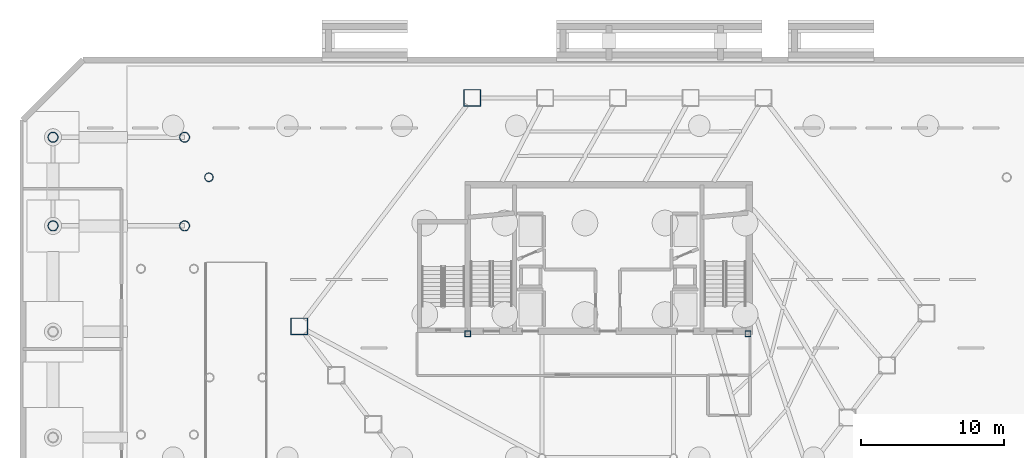
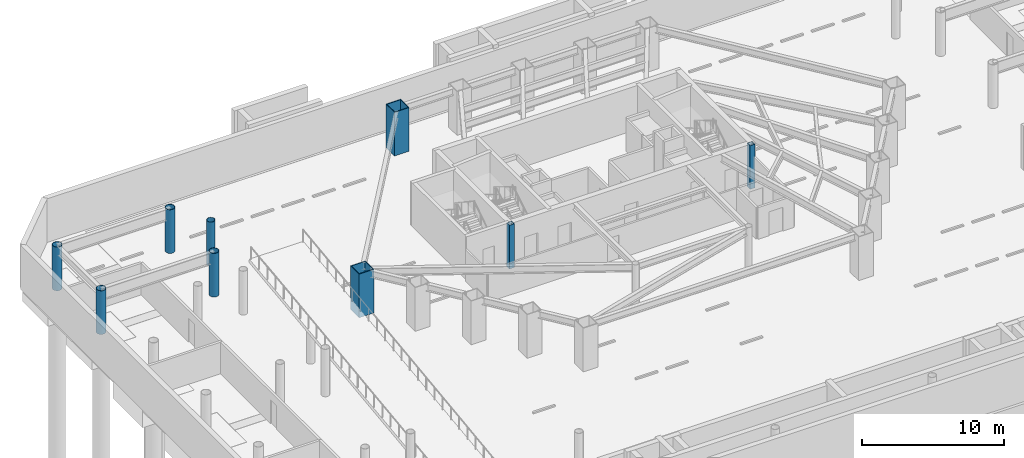
# One storey, part 5 of 19: 9 columns.
"""IFC4 building model written with IfcOpenShell, lengths in metres."""

from ifc_helpers import new_model, si_unit, direction, frame, origin, origin_2d, place, context, subcontext, project, spatial, hollow_rectangle, hollow_circle, extrude, material, material_profile, profile_set, type_object, element, save


model = new_model("IFC4")

# Units and contexts
model_context = context("Model", 3, precision=1e-05, world=origin(), true_north=direction((0.0, 1.0)))
body_context = subcontext(model_context, "Body", "Model", "MODEL_VIEW")
ifc_project = project(units=[si_unit("LENGTHUNIT", "METRE"), si_unit("AREAUNIT", "SQUARE_METRE"), si_unit("VOLUMEUNIT", "CUBIC_METRE"), si_unit("PLANEANGLEUNIT", "RADIAN"), si_unit("MASSUNIT", "GRAM", prefix="KILO")], contexts=[model_context])

# Site, building, storey
site_placement = place(None, origin())
site = spatial("IfcSite", under=ifc_project, at=site_placement, CompositionType="ELEMENT")
building_placement = place(site_placement, origin())
building = spatial("IfcBuilding", under=site, at=building_placement, Name="Zarrinselat Tower", CompositionType="ELEMENT")
storey_placement = place(building_placement, frame((0.0, 0.0, -8.159912109375)))
storey = spatial("IfcBuildingStorey", under=building, at=storey_placement, Name="B02", CompositionType="ELEMENT", Elevation=-8.159912109375)

# Columns
ifc_material_1 = material(Name="Steel S355J2", Category="steel")
ifc_material_profile_1 = material_profile(ifc_material_1, hollow_circle(Radius=0.304931640625, WallThickness=0.02490234375, at=origin_2d()), Name="CHS 610x25")
ifc_profile_set_1 = profile_set([ifc_material_profile_1], Name="Steel S355J2")
column_type_1 = type_object("IfcColumnType", Name="COL-CHS610", PredefinedType="COLUMN", material=ifc_profile_set_1)
column_placement = place(storey_placement, frame((10.5, 44.0, 0.0), z_axis=(0.0, 0.0, 1.0), x_axis=(1.0, 0.0, 0.0)))
element("IfcColumn", 1, at=column_placement, inside=storey, type_object=column_type_1, Name="B02 Garden Deck Support Column 3", PredefinedType="COLUMN", context=body_context, shape_type="SweptSolid", body=[
    extrude(hollow_circle(Radius=0.304931640625, WallThickness=0.02490234375, at=origin_2d()), origin(), (0.0, 0.0, 1.0), 3.760009765625),
])
ifc_material_2 = material(Name="Steel S460M", Category="steel")
ifc_material_profile_2 = material_profile(ifc_material_2, hollow_circle(Radius=0.35546875, WallThickness=0.030029296875, at=origin_2d()), Name="CHS 711x30")
ifc_profile_set_2 = profile_set([ifc_material_profile_2], Name="Steel S460M")
column_type_2 = type_object("IfcColumnType", Name="COL-CHS711", PredefinedType="COLUMN", material=ifc_profile_set_2)
for number, where, z_axis, x_axis, name in (
    (2, (-0.39990234375, 40.60009765625, 0.0), (0.0, 0.0, 1.0), (1.0, 0.0, 0.0), "B02 Podium Outer Column W-40"),
    (3, (8.800048828125, 40.60009765625, 0.0), (0.0, 0.0, 1.0), (1.0, 0.0, 0.0), "B02 Podium Anchor Column W-40"),
    (4, (-0.39990234375, 46.800048828125, 0.0), (0.0, 0.0, 1.0), (1.0, 0.0, 0.0), "B02 Podium Outer Column W-46"),
    (5, (8.800048828125, 46.800048828125, 0.0), (0.0, 0.0, 1.0), (1.0, 0.0, 0.0), "B02 Podium Anchor Column W-46"),
):
    element("IfcColumn", number, at=place(storey_placement, frame(where, z_axis=z_axis, x_axis=x_axis)), inside=storey, type_object=column_type_2, Name=name, PredefinedType="COLUMN", context=body_context, shape_type="SweptSolid", body=[
        extrude(hollow_circle(Radius=0.35546875, WallThickness=0.030029296875, at=origin_2d()), origin(), (0.0, 0.0, 1.0), 3.760009765625),
    ])
ifc_material_3 = material(Name="Steel S460M", Category="steel")
ifc_material_profile_3 = material_profile(ifc_material_3, hollow_rectangle(XDim=1.199951171875, YDim=1.199951171875, WallThickness=0.06005859375, at=origin_2d()), Name="SHS 1200x1200x60")
ifc_profile_set_3 = profile_set([ifc_material_profile_3], Name="Steel S460M")
column_type_3 = type_object("IfcColumnType", Name="COL-SHS1200", PredefinedType="COLUMN", material=ifc_profile_set_3)
for number, where, z_axis, x_axis, name in (
    (6, (28.923095703125, 49.550048828125, 0.0), (0.0, 0.0, 1.0), (1.0, 0.0, 0.0), "B02 Framed-Tube Column T05"),
    (7, (16.8154296875, 33.568115234375, 0.0), (0.0, 0.0, 1.0), (1.0, 0.0, 0.0), "B02 Framed-Tube Column T06"),
):
    element("IfcColumn", number, at=place(storey_placement, frame(where, z_axis=z_axis, x_axis=x_axis)), inside=storey, type_object=column_type_3, Name=name, PredefinedType="COLUMN", context=body_context, shape_type="SweptSolid", body=[
        extrude(hollow_rectangle(XDim=1.199951171875, YDim=1.199951171875, WallThickness=0.06005859375, at=origin_2d()), origin(), (0.0, 0.0, 1.0), 3.760009765625),
    ])
ifc_material_4 = material(Name="Steel S355J2", Category="steel")
ifc_material_profile_4 = material_profile(ifc_material_4, hollow_rectangle(XDim=0.39990234375, YDim=0.39990234375, WallThickness=0.02001953125, at=origin_2d()), Name="SHS 400x400x20")
ifc_profile_set_4 = profile_set([ifc_material_profile_4], Name="Steel S355J2")
column_type_4 = type_object("IfcColumnType", Name="COL-SHS400", PredefinedType="PILASTER", material=ifc_profile_set_4)
for number, where, z_axis, x_axis, name in (
    (8, (28.60009765625, 33.050048828125, 0.0), (0.0, 0.0, 1.0), (1.0, 0.0, 0.0), "B02 Gallery Structural Pilaster 1"),
    (9, (48.199951171875, 33.050048828125, 0.0), (0.0, 0.0, 1.0), (1.0, 0.0, 0.0), "B02 Gallery Structural Pilaster 2"),
):
    element("IfcColumn", number, at=place(storey_placement, frame(where, z_axis=z_axis, x_axis=x_axis)), inside=storey, type_object=column_type_4, Name=name, PredefinedType="PILASTER", context=body_context, shape_type="SweptSolid", body=[
        extrude(hollow_rectangle(XDim=0.39990234375, YDim=0.39990234375, WallThickness=0.02001953125, at=origin_2d()), origin(), (0.0, 0.0, 1.0), 3.760009765625),
    ])

save(model, "model.ifc")
